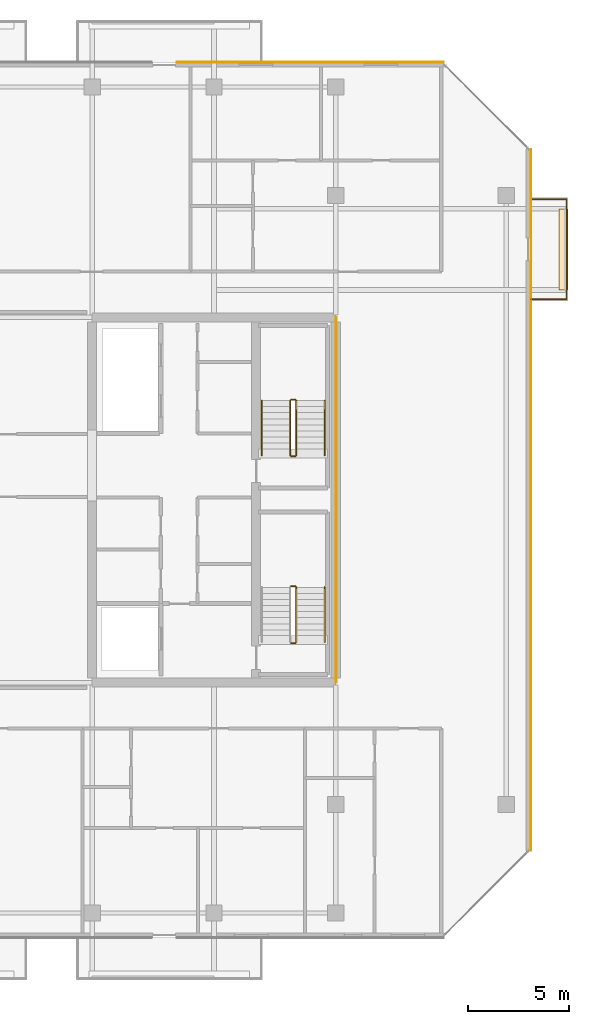
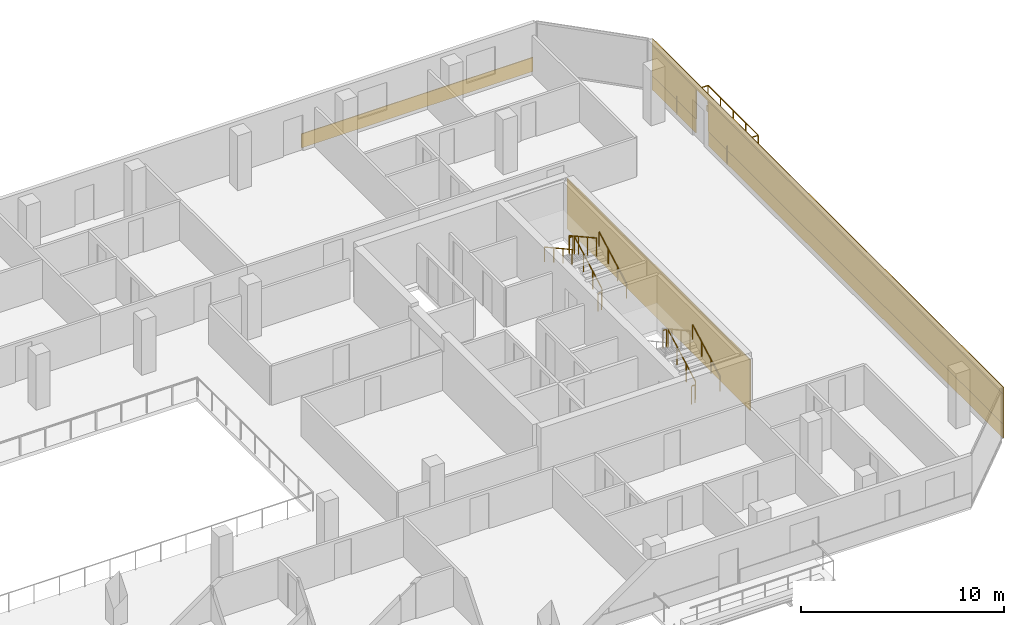
# One storey, part 29 of 29: 11 railings, 8 coverings.
"""IFC4 building model written with IfcOpenShell, lengths in metres."""

from ifc_helpers import new_model, si_unit, direction, frame, origin, origin_2d, place, context, subcontext, project, spatial, polyline, rectangle, outline, extrude, material, layer, layer_set, type_object, element, save


model = new_model("IFC4")

# Units and contexts
model_context = context("Model", 3, precision=1e-05, world=origin(), true_north=direction((0.0, 1.0)))
body_context = subcontext(model_context, "Body", "Model", "MODEL_VIEW")
ifc_project = project(units=[si_unit("LENGTHUNIT", "METRE"), si_unit("AREAUNIT", "SQUARE_METRE"), si_unit("VOLUMEUNIT", "CUBIC_METRE"), si_unit("PLANEANGLEUNIT", "RADIAN"), si_unit("MASSUNIT", "GRAM", prefix="KILO")], contexts=[model_context])

# Site, building, storey
site_placement = place(None, origin())
site = spatial("IfcSite", under=ifc_project, at=site_placement, CompositionType="ELEMENT")
building_placement = place(site_placement, origin())
building = spatial("IfcBuilding", under=site, at=building_placement, Name="Tanjung Sevakor Pilgrim Tower", CompositionType="ELEMENT")
storey_placement = place(building_placement, frame((0.0, 0.0, 188.429931640625)))
storey = spatial("IfcBuildingStorey", under=building, at=storey_placement, Name="L52", CompositionType="ELEMENT", Elevation=188.429931640625)

# Coverings
ifc_material_1 = material(Name="Reconstructed Limestone Cladding", Category="masonry")
ifc_layer_1 = layer(ifc_material_1, 0.044921875)
ifc_layer_set_1 = layer_set([ifc_layer_1], Name="COV-CLAD-LIMESTONE")
covering_type_1 = type_object("IfcCoveringType", Name="COV-CLAD-LIMESTONE", PredefinedType="CLADDING", material=ifc_layer_set_1)
covering_1_placement = place(storey_placement, frame((99.62255859375, 30.837890625, 0.01025390625), z_axis=(0.0, 0.0, 1.0), x_axis=(0.0, 1.0, 0.0)))
element("IfcCovering", 1, at=covering_1_placement, inside=storey, type_object=covering_type_1, Name="L52 Warm Limestone Sill Spandrel EW-L52-MAIN-7-1", PredefinedType="CLADDING", context=body_context, shape_type="SweptSolid", body=[
    extrude(rectangle(XDim=29.00439453125, YDim=0.044921875, at=origin_2d()), origin(), (0.0, 0.0, 1.0), 0.840087890625),
])
covering_2_placement = place(storey_placement, frame((99.62255859375, 48.712158203125, 0.01025390625), z_axis=(0.0, 0.0, 1.0), x_axis=(0.0, 1.0, 0.0)))
element("IfcCovering", 2, at=covering_2_placement, inside=storey, type_object=covering_type_1, Name="L52 Warm Limestone Sill Spandrel EW-L52-MAIN-7-2", PredefinedType="CLADDING", context=body_context, shape_type="SweptSolid", body=[
    extrude(rectangle(XDim=4.304443359375, YDim=0.044921875, at=origin_2d()), origin(), (0.0, 0.0, 1.0), 0.840087890625),
])
covering_3_placement = place(storey_placement, frame((99.62255859375, 33.60009765625, 2.66015625), z_axis=(0.0, 0.0, 1.0), x_axis=(0.0, 1.0, 0.0)))
element("IfcCovering", 3, at=covering_3_placement, inside=storey, type_object=covering_type_1, Name="L52 Warm Limestone Cornice Spandrel EW-L52-MAIN-7", PredefinedType="CLADDING", context=body_context, shape_type="SweptSolid", body=[
    extrude(rectangle(XDim=34.56884765625, YDim=0.044921875, at=origin_2d()), origin(), (0.0, 0.0, 1.0), 0.409912109375),
])
covering_4_placement = place(storey_placement, frame((99.62255859375, 30.8427734375, 0.85009765625), z_axis=(0.0, 0.0, 1.0), x_axis=(0.0, 1.0, 0.0)))
element("IfcCovering", 4, at=covering_4_placement, inside=storey, type_object=covering_type_1, Name="L52 Warm Limestone Pier Panel EW-L52-MAIN-7-1", PredefinedType="CLADDING", context=body_context, shape_type="SweptSolid", body=[
    extrude(rectangle(XDim=29.014404296875, YDim=0.044921875, at=origin_2d()), origin(), (0.0, 0.0, 1.0), 1.81005859375),
])
covering_5_placement = place(storey_placement, frame((99.62255859375, 48.707275390625, 0.85009765625), z_axis=(0.0, 0.0, 1.0), x_axis=(0.0, 1.0, 0.0)))
element("IfcCovering", 5, at=covering_5_placement, inside=storey, type_object=covering_type_1, Name="L52 Warm Limestone Pier Panel EW-L52-MAIN-7-2", PredefinedType="CLADDING", context=body_context, shape_type="SweptSolid", body=[
    extrude(rectangle(XDim=4.314453125, YDim=0.044921875, at=origin_2d()), origin(), (0.0, 0.0, 1.0), 1.81005859375),
])
covering_6_placement = place(storey_placement, frame((88.7373046875, 55.172607421875, 0.01025390625), z_axis=(0.0, 0.0, 1.0), x_axis=(-1.0, 0.0, 0.0)))
element("IfcCovering", 6, at=covering_6_placement, inside=storey, type_object=covering_type_1, Name="L52 Warm Limestone Sill Spandrel EW-L52-MAIN-9-1", PredefinedType="CLADDING", context=body_context, shape_type="SweptSolid", body=[
    extrude(rectangle(XDim=13.154296875, YDim=0.044921875, at=origin_2d()), origin(), (0.0, 0.0, 1.0), 0.840087890625),
])
covering_7_placement = place(storey_placement, frame((90.0224609375, 33.60009765625, 0.02001953125), z_axis=(0.0, 0.0, 1.0), x_axis=(1.0, 0.0, 0.0)))
element("IfcCovering", 7, at=covering_7_placement, inside=storey, type_object=covering_type_1, Name="L52 Expressed Core Warm Limestone Cladding E", PredefinedType="CLADDING", context=body_context, shape_type="SweptSolid", body=[
    extrude(rectangle(XDim=0.044921875, YDim=18.0, at=origin_2d()), origin(), (0.0, 0.0, 1.0), 3.0400390625),
])
ifc_material_2 = material(Name="Vegetated Modular Planter Assembly", Category="organic")
ifc_layer_2 = layer(ifc_material_2, 0.35009765625)
ifc_layer_set_2 = layer_set([ifc_layer_2], Name="COV-GRN-TROUGH")
covering_type_2 = type_object("IfcCoveringType", Name="COV-GRN-TROUGH", PredefinedType="CLADDING", material=ifc_layer_set_2)
covering_8_placement = place(storey_placement, origin())
element("IfcCovering", 8, at=covering_8_placement, inside=storey, type_object=covering_type_2, Name="L52 Planted Landscape Hedge Trough BGRN-L52-MAIN-E1", PredefinedType="CLADDING", context=body_context, shape_type="SweptSolid", body=[
    extrude(outline(polyline([(101.449951171875, 43.949951171875), (101.449951171875, 47.949951171875), (101.010009765625, 47.949951171875), (101.010009765625, 43.949951171875), (101.449951171875, 43.949951171875)])), origin(), (0.0, 0.0, 1.0), 0.35009765625),
])

# Railings
ifc_material_3 = material(Name="Laminated Glass and Aluminium", Category="aluminium")
railing_type_1 = type_object("IfcRailingType", Name="RL-BAL-BALUST", PredefinedType="BALUSTRADE", material=ifc_material_3)
railing_1_placement = place(storey_placement, frame((99.60009765625, 43.47998046875, 0.0)))
element("IfcRailing", 9, at=railing_1_placement, inside=storey, type_object=railing_type_1, Name="L52 Loggia Balustrade MAIN-E1", PredefinedType="BALUSTRADE", context=body_context, shape_type="SweptSolid", body=[
    extrude(rectangle(XDim=0.0479, YDim=0.0479), frame((0.0, 0.0, 1.1259765625), z_axis=(1.0, 0.0, 0.0), x_axis=(0.0, 1.0, 0.0)), (0.0, 0.0, 1.0), 1.77001953125),
    extrude(rectangle(XDim=0.0479, YDim=0.0479), frame((1.77001953125, 0.0, 1.1259765625), z_axis=(0.0, 1.0, 0.0), x_axis=(-1.0, 0.0, 0.0)), (0.0, 0.0, 1.0), 4.93994140625),
    extrude(rectangle(XDim=0.0479, YDim=0.0479), frame((1.77001953125, 4.93994140625, 1.1259765625), z_axis=(-1.0, 0.0, 0.0), x_axis=(0.0, -1.0, 0.0)), (0.0, 0.0, 1.0), 1.77001953125),
    extrude(rectangle(XDim=0.042, YDim=0.042), origin(), (0.0, 0.0, 1.0), 1.101806640625),
    extrude(rectangle(XDim=0.042, YDim=0.042), frame((0.885009765625, 0.0, 0.0)), (0.0, 0.0, 1.0), 1.101806640625),
    extrude(rectangle(XDim=0.042, YDim=0.042), frame((1.77001953125, 0.0, 0.0)), (0.0, 0.0, 1.0), 1.101806640625),
    extrude(rectangle(XDim=0.042, YDim=0.042), frame((1.77001953125, 1.23486328125, 0.0)), (0.0, 0.0, 1.0), 1.101806640625),
    extrude(rectangle(XDim=0.042, YDim=0.042), frame((1.77001953125, 2.469970703125, 0.0)), (0.0, 0.0, 1.0), 1.101806640625),
    extrude(rectangle(XDim=0.042, YDim=0.042), frame((1.77001953125, 3.705078125, 0.0)), (0.0, 0.0, 1.0), 1.101806640625),
    extrude(rectangle(XDim=0.042, YDim=0.042), frame((1.77001953125, 4.93994140625, 0.0)), (0.0, 0.0, 1.0), 1.101806640625),
    extrude(rectangle(XDim=0.042, YDim=0.042), frame((0.885009765625, 4.93994140625, 0.0)), (0.0, 0.0, 1.0), 1.101806640625),
    extrude(rectangle(XDim=0.042, YDim=0.042), frame((0.0, 4.93994140625, 0.0)), (0.0, 0.0, 1.0), 1.101806640625),
])
ifc_material_4 = material(Name="Steel S355J2", Category="steel")
railing_type_2 = type_object("IfcRailingType", Name="RL-STAIR-GUARD", PredefinedType="GUARDRAIL", material=ifc_material_4)
railing_2_placement = place(storey_placement, frame((88.050048828125, 26.60009765625, 0.1650390625)))
element("IfcRailing", 10, at=railing_2_placement, inside=storey, type_object=railing_type_2, Name="L52 TS-E1 stair guard 1", PredefinedType="GUARDRAIL", context=body_context, shape_type="SweptSolid", body=[
    extrude(rectangle(XDim=0.0479, YDim=0.0479), frame((0.0, 0.0, 1.076171875), z_axis=(0.0, 0.876197507361, 0.481952205197), x_axis=(-1.0, 0.0, 0.0)), (0.0, 0.0, 1.0), 3.08154296875),
    extrude(rectangle(XDim=0.042, YDim=0.042), origin(), (0.0, 0.0, 1.0), 1.052001953125),
    extrude(rectangle(XDim=0.042, YDim=0.042), frame((0.0, 0.89990234375, 0.4951171875)), (0.0, 0.0, 1.0), 1.052001953125),
    extrude(rectangle(XDim=0.042, YDim=0.042), frame((0.0, 1.800048828125, 0.989990234375)), (0.0, 0.0, 1.0), 1.052001953125),
    extrude(rectangle(XDim=0.042, YDim=0.042), frame((0.0, 2.699951171875, 1.485107421875)), (0.0, 0.0, 1.0), 1.052001953125),
])
for number, where, name in (
    (11, (88.0, 29.35009765625, 1.650146484375), "L52 TS-E1 stair guard 2"),
    (12, (88.0, 26.550048828125, 0.0), "L52 TS-E1 stair guard 4"),
):
    element("IfcRailing", number, at=place(storey_placement, frame(where)), inside=storey, type_object=railing_type_2, Name=name, PredefinedType="GUARDRAIL", context=body_context, shape_type="SweptSolid", body=[
        extrude(rectangle(XDim=0.0479, YDim=0.0479), frame((0.0, 0.0, 1.076171875), z_axis=(-1.0, 0.0, 0.0), x_axis=(0.0, -1.0, 0.0)), (0.0, 0.0, 1.0), 0.199951171875),
        extrude(rectangle(XDim=0.042, YDim=0.042), origin(), (0.0, 0.0, 1.0), 1.052001953125),
        extrude(rectangle(XDim=0.042, YDim=0.042), frame((-0.199951171875, 0.0, 0.0)), (0.0, 0.0, 1.0), 1.052001953125),
    ])
railing_3_placement = place(storey_placement, frame((88.050048828125, 35.800048828125, 0.1650390625)))
element("IfcRailing", 13, at=railing_3_placement, inside=storey, type_object=railing_type_2, Name="L52 TS-E2 stair guard 1", PredefinedType="GUARDRAIL", context=body_context, shape_type="SweptSolid", body=[
    extrude(rectangle(XDim=0.0479, YDim=0.0479), frame((0.0, 0.0, 1.076171875), z_axis=(0.0, 0.876197507361, 0.481952205197), x_axis=(-1.0, 0.0, 0.0)), (0.0, 0.0, 1.0), 3.08154296875),
    extrude(rectangle(XDim=0.042, YDim=0.042), origin(), (0.0, 0.0, 1.0), 1.052001953125),
    extrude(rectangle(XDim=0.042, YDim=0.042), frame((0.0, 0.89990234375, 0.4951171875)), (0.0, 0.0, 1.0), 1.052001953125),
    extrude(rectangle(XDim=0.042, YDim=0.042), frame((0.0, 1.800048828125, 0.989990234375)), (0.0, 0.0, 1.0), 1.052001953125),
    extrude(rectangle(XDim=0.042, YDim=0.042), frame((0.0, 2.699951171875, 1.485107421875)), (0.0, 0.0, 1.0), 1.052001953125),
])
railing_4_placement = place(storey_placement, frame((88.0, 38.550048828125, 1.650146484375)))
element("IfcRailing", 14, at=railing_4_placement, inside=storey, type_object=railing_type_2, Name="L52 TS-E2 stair guard 2", PredefinedType="GUARDRAIL", context=body_context, shape_type="SweptSolid", body=[
    extrude(rectangle(XDim=0.0479, YDim=0.0479), frame((0.0, 0.0, 1.076171875), z_axis=(-1.0, 0.0, 0.0), x_axis=(0.0, -1.0, 0.0)), (0.0, 0.0, 1.0), 0.199951171875),
    extrude(rectangle(XDim=0.042, YDim=0.042), origin(), (0.0, 0.0, 1.0), 1.052001953125),
    extrude(rectangle(XDim=0.042, YDim=0.042), frame((-0.199951171875, 0.0, 0.0)), (0.0, 0.0, 1.0), 1.052001953125),
])
railing_5_placement = place(storey_placement, frame((87.75, 38.5, 1.815185546875)))
element("IfcRailing", 15, at=railing_5_placement, inside=storey, type_object=railing_type_2, Name="L52 TS-E2 stair guard 3", PredefinedType="GUARDRAIL", context=body_context, shape_type="SweptSolid", body=[
    extrude(rectangle(XDim=0.0479, YDim=0.0479), frame((0.0, 0.0, 1.076171875), z_axis=(0.0, -0.876230963923, 0.481891375584), x_axis=(1.0, 0.0, 0.0)), (0.0, 0.0, 1.0), 3.081298828125),
    extrude(rectangle(XDim=0.042, YDim=0.042), origin(), (0.0, 0.0, 1.0), 1.052001953125),
    extrude(rectangle(XDim=0.042, YDim=0.042), frame((0.0, -0.89990234375, 0.494873046875)), (0.0, 0.0, 1.0), 1.052001953125),
    extrude(rectangle(XDim=0.042, YDim=0.042), frame((0.0, -1.800048828125, 0.989990234375)), (0.0, 0.0, 1.0), 1.052001953125),
    extrude(rectangle(XDim=0.042, YDim=0.042), frame((0.0, -2.699951171875, 1.48486328125)), (0.0, 0.0, 1.0), 1.052001953125),
])
railing_6_placement = place(storey_placement, frame((88.0, 35.75, 0.0)))
element("IfcRailing", 16, at=railing_6_placement, inside=storey, type_object=railing_type_2, Name="L52 TS-E2 stair guard 4", PredefinedType="GUARDRAIL", context=body_context, shape_type="SweptSolid", body=[
    extrude(rectangle(XDim=0.0479, YDim=0.0479), frame((0.0, 0.0, 1.076171875), z_axis=(-1.0, 0.0, 0.0), x_axis=(0.0, -1.0, 0.0)), (0.0, 0.0, 1.0), 0.199951171875),
    extrude(rectangle(XDim=0.042, YDim=0.042), origin(), (0.0, 0.0, 1.0), 1.052001953125),
    extrude(rectangle(XDim=0.042, YDim=0.042), frame((-0.199951171875, 0.0, 0.0)), (0.0, 0.0, 1.0), 1.052001953125),
])
ifc_material_5 = material(Name="Steel S355J2", Category="steel")
railing_type_3 = type_object("IfcRailingType", Name="RL-STAIR-HAND", PredefinedType="HANDRAIL", material=ifc_material_5)
for number, where, name in (
    (17, (89.449951171875, 26.60009765625, 0.1650390625), "L52 TS-E1 stair handrail 1"),
    (18, (89.449951171875, 35.800048828125, 0.1650390625), "L52 TS-E2 stair handrail 1"),
):
    element("IfcRailing", number, at=place(storey_placement, frame(where)), inside=storey, type_object=railing_type_3, Name=name, PredefinedType="HANDRAIL", context=body_context, shape_type="SweptSolid", body=[
        extrude(rectangle(XDim=0.0479, YDim=0.0479), frame((0.0, 0.0, 0.8759765625), z_axis=(0.0, 0.876197507361, 0.481952205197), x_axis=(-1.0, 0.0, 0.0)), (0.0, 0.0, 1.0), 3.08154296875),
        extrude(rectangle(XDim=0.042, YDim=0.042), origin(), (0.0, 0.0, 1.0), 0.851806640625),
        extrude(rectangle(XDim=0.042, YDim=0.042), frame((0.0, 0.89990234375, 0.4951171875)), (0.0, 0.0, 1.0), 0.851806640625),
        extrude(rectangle(XDim=0.042, YDim=0.042), frame((0.0, 1.800048828125, 0.989990234375)), (0.0, 0.0, 1.0), 0.851806640625),
        extrude(rectangle(XDim=0.042, YDim=0.042), frame((0.0, 2.699951171875, 1.485107421875)), (0.0, 0.0, 1.0), 0.851806640625),
    ])
railing_7_placement = place(storey_placement, frame((86.35009765625, 38.5, 1.815185546875)))
element("IfcRailing", 19, at=railing_7_placement, inside=storey, type_object=railing_type_3, Name="L52 TS-E2 stair handrail 2", PredefinedType="HANDRAIL", context=body_context, shape_type="SweptSolid", body=[
    extrude(rectangle(XDim=0.0479, YDim=0.0479), frame((0.0, 0.0, 0.8759765625), z_axis=(0.0, -0.876230963923, 0.481891375584), x_axis=(1.0, 0.0, 0.0)), (0.0, 0.0, 1.0), 3.081298828125),
    extrude(rectangle(XDim=0.042, YDim=0.042), origin(), (0.0, 0.0, 1.0), 0.851806640625),
    extrude(rectangle(XDim=0.042, YDim=0.042), frame((0.0, -0.89990234375, 0.494873046875)), (0.0, 0.0, 1.0), 0.851806640625),
    extrude(rectangle(XDim=0.042, YDim=0.042), frame((0.0, -1.800048828125, 0.989990234375)), (0.0, 0.0, 1.0), 0.851806640625),
    extrude(rectangle(XDim=0.042, YDim=0.042), frame((0.0, -2.699951171875, 1.48486328125)), (0.0, 0.0, 1.0), 0.851806640625),
])

save(model, "model.ifc")
